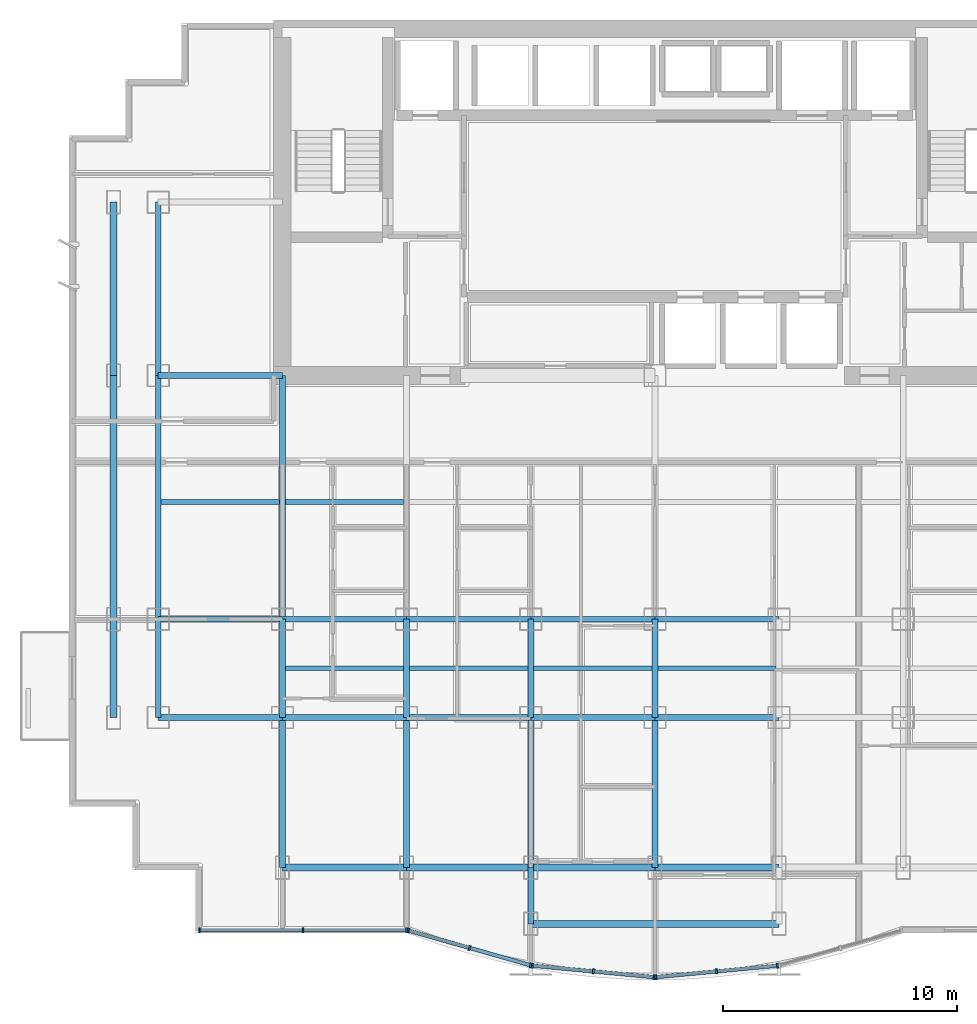
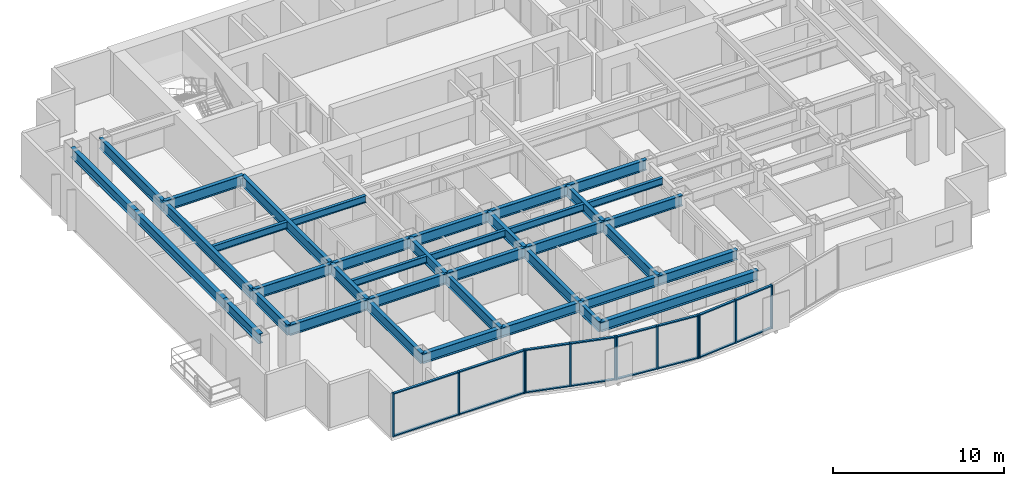
# One storey, part 2 of 10: 38 beams, 28 members, 4 elements without a shape of their own.
"""IFC4 building model written with IfcOpenShell, lengths in metres."""

from ifc_helpers import new_model, si_unit, direction, frame, origin, origin_2d, place, context, subcontext, project, spatial, rectangle, i_section, extrude, source, transform, mapped, material, layer, layer_set, material_profile, profile_set, type_object, element, aggregate, save


model = new_model("IFC4")

# Units and contexts
model_context = context("Model", 3, precision=1e-05, world=origin(), true_north=direction((0.0, 1.0)))
body_context = subcontext(model_context, "Body", "Model", "MODEL_VIEW")
ifc_project = project(units=[si_unit("LENGTHUNIT", "METRE"), si_unit("AREAUNIT", "SQUARE_METRE"), si_unit("VOLUMEUNIT", "CUBIC_METRE"), si_unit("PLANEANGLEUNIT", "RADIAN"), si_unit("MASSUNIT", "GRAM", prefix="KILO")], contexts=[model_context])

# Site, building, storey
site_placement = place(None, origin())
site = spatial("IfcSite", under=ifc_project, at=site_placement, CompositionType="ELEMENT")
building_placement = place(site_placement, origin())
building = spatial("IfcBuilding", under=site, at=building_placement, Name="Qianlan Lanfeng Residences", CompositionType="ELEMENT")
storey_placement = place(building_placement, frame((0.0, 0.0, 114.699951171875)))
storey = spatial("IfcBuildingStorey", under=building, at=storey_placement, Name="L31", CompositionType="ELEMENT", Elevation=114.699951171875)

# Beams
ifc_material_1 = material(Name="Steel SN490B", Category="steel")
ifc_material_profile_1 = material_profile(ifc_material_1, i_section(OverallWidth=0.25, OverallDepth=0.75, WebThickness=0.013916015625, FlangeThickness=0.02490234375, at=origin_2d()), Name="H 750x250x14x25")
ifc_profile_set_1 = profile_set([ifc_material_profile_1], Name="Steel SN490B")
beam_type_1 = type_object("IfcBeamType", Name="G-850", PredefinedType="BEAM", material=ifc_profile_set_1)
beam_1_placement = place(storey_placement, frame((5.300048828125, 10.60009765625, 2.715087890625), z_axis=(1.0, 0.0, 0.0), x_axis=(0.0, 1.0, 0.0)))
element("IfcBeam", 1, at=beam_1_placement, inside=storey, type_object=beam_type_1, Name="Structural beam G-850", PredefinedType="BEAM", context=body_context, shape_type="SweptSolid", body=[
    extrude(i_section(OverallWidth=0.25, OverallDepth=0.75, WebThickness=0.013916015625, FlangeThickness=0.02490234375, at=origin_2d()), origin(), (0.0, 0.0, 1.0), 5.300048828125),
])
beam_2_placement = place(storey_placement, frame((10.60009765625, 10.60009765625, 2.715087890625), z_axis=(1.0, 0.0, 0.0), x_axis=(0.0, 1.0, 0.0)))
element("IfcBeam", 2, at=beam_2_placement, inside=storey, type_object=beam_type_1, Name="Structural beam G-850", PredefinedType="BEAM", context=body_context, shape_type="SweptSolid", body=[
    extrude(i_section(OverallWidth=0.25, OverallDepth=0.75, WebThickness=0.013916015625, FlangeThickness=0.02490234375, at=origin_2d()), origin(), (0.0, 0.0, 1.0), 5.2998046875),
])
for number, where, z_axis, x_axis, name in (
    (3, (15.89990234375, 10.60009765625, 2.715087890625), (1.0, 0.0, 0.0), (0.0, 1.0, 0.0), "Structural beam G-850"),
    (4, (21.199951171875, 10.60009765625, 2.715087890625), (1.0, 0.0, 0.0), (0.0, 1.0, 0.0), "Structural beam G-850"),
    (5, (26.5, 10.60009765625, 2.715087890625), (1.0, 0.0, 0.0), (0.0, 1.0, 0.0), "Structural beam G-850"),
    (6, (5.300048828125, 14.800048828125, 2.715087890625), (1.0, 0.0, 0.0), (0.0, 1.0, 0.0), "Structural beam G-850"),
):
    element("IfcBeam", number, at=place(storey_placement, frame(where, z_axis=z_axis, x_axis=x_axis)), inside=storey, type_object=beam_type_1, Name=name, PredefinedType="BEAM", context=body_context, shape_type="SweptSolid", body=[
        extrude(i_section(OverallWidth=0.25, OverallDepth=0.75, WebThickness=0.013916015625, FlangeThickness=0.02490234375, at=origin_2d()), origin(), (0.0, 0.0, 1.0), 5.300048828125),
    ])
beam_3_placement = place(storey_placement, frame((10.60009765625, 14.800048828125, 2.715087890625), z_axis=(1.0, 0.0, 0.0), x_axis=(0.0, 1.0, 0.0)))
element("IfcBeam", 7, at=beam_3_placement, inside=storey, type_object=beam_type_1, Name="Structural beam G-850", PredefinedType="BEAM", context=body_context, shape_type="SweptSolid", body=[
    extrude(i_section(OverallWidth=0.25, OverallDepth=0.75, WebThickness=0.013916015625, FlangeThickness=0.02490234375, at=origin_2d()), origin(), (0.0, 0.0, 1.0), 5.2998046875),
])
for number, where, z_axis, x_axis, name in (
    (8, (15.89990234375, 14.800048828125, 2.715087890625), (1.0, 0.0, 0.0), (0.0, 1.0, 0.0), "Structural beam G-850"),
    (9, (21.199951171875, 14.800048828125, 2.715087890625), (1.0, 0.0, 0.0), (0.0, 1.0, 0.0), "Structural beam G-850"),
    (10, (26.5, 14.800048828125, 2.715087890625), (1.0, 0.0, 0.0), (0.0, 1.0, 0.0), "Structural beam G-850"),
    (11, (5.300048828125, 25.199951171875, 2.715087890625), (1.0, 0.0, 0.0), (0.0, 1.0, 0.0), "Structural beam G-850"),
):
    element("IfcBeam", number, at=place(storey_placement, frame(where, z_axis=z_axis, x_axis=x_axis)), inside=storey, type_object=beam_type_1, Name=name, PredefinedType="BEAM", context=body_context, shape_type="SweptSolid", body=[
        extrude(i_section(OverallWidth=0.25, OverallDepth=0.75, WebThickness=0.013916015625, FlangeThickness=0.02490234375, at=origin_2d()), origin(), (0.0, 0.0, 1.0), 5.300048828125),
    ])
beam_4_placement = place(storey_placement, frame((5.300048828125, 10.60009765625, 2.715087890625), z_axis=(0.0, 1.0, 0.0), x_axis=(-1.0, 0.0, 0.0)))
element("IfcBeam", 12, at=beam_4_placement, inside=storey, type_object=beam_type_1, Name="Structural beam G-850", PredefinedType="BEAM", context=body_context, shape_type="SweptSolid", body=[
    extrude(i_section(OverallWidth=0.25, OverallDepth=0.75, WebThickness=0.013916015625, FlangeThickness=0.02490234375, at=origin_2d()), origin(), (0.0, 0.0, 1.0), 4.199951171875),
])
beam_5_placement = place(storey_placement, frame((5.300048828125, 14.800048828125, 2.715087890625), z_axis=(0.0, 1.0, 0.0), x_axis=(-1.0, 0.0, 0.0)))
element("IfcBeam", 13, at=beam_5_placement, inside=storey, type_object=beam_type_1, Name="Structural beam G-850", PredefinedType="BEAM", context=body_context, shape_type="SweptSolid", body=[
    extrude(i_section(OverallWidth=0.25, OverallDepth=0.75, WebThickness=0.013916015625, FlangeThickness=0.02490234375, at=origin_2d()), origin(), (0.0, 0.0, 1.0), 10.39990234375),
])
beam_6_placement = place(storey_placement, frame((5.300048828125, 25.199951171875, 2.715087890625), z_axis=(0.0, 1.0, 0.0), x_axis=(-1.0, 0.0, 0.0)))
element("IfcBeam", 14, at=beam_6_placement, inside=storey, type_object=beam_type_1, Name="Structural beam G-850", PredefinedType="BEAM", context=body_context, shape_type="SweptSolid", body=[
    extrude(i_section(OverallWidth=0.25, OverallDepth=0.75, WebThickness=0.013916015625, FlangeThickness=0.02490234375, at=origin_2d()), origin(), (0.0, 0.0, 1.0), 7.400146484375),
])
beam_7_placement = place(storey_placement, frame((10.60009765625, 4.199951171875, 2.715087890625), z_axis=(0.0, 1.0, 0.0), x_axis=(-1.0, 0.0, 0.0)))
element("IfcBeam", 15, at=beam_7_placement, inside=storey, type_object=beam_type_1, Name="Structural beam G-850", PredefinedType="BEAM", context=body_context, shape_type="SweptSolid", body=[
    extrude(i_section(OverallWidth=0.25, OverallDepth=0.75, WebThickness=0.013916015625, FlangeThickness=0.02490234375, at=origin_2d()), origin(), (0.0, 0.0, 1.0), 6.400146484375),
])
beam_8_placement = place(storey_placement, frame((10.60009765625, 10.60009765625, 2.715087890625), z_axis=(0.0, 1.0, 0.0), x_axis=(-1.0, 0.0, 0.0)))
element("IfcBeam", 16, at=beam_8_placement, inside=storey, type_object=beam_type_1, Name="Structural beam G-850", PredefinedType="BEAM", context=body_context, shape_type="SweptSolid", body=[
    extrude(i_section(OverallWidth=0.25, OverallDepth=0.75, WebThickness=0.013916015625, FlangeThickness=0.02490234375, at=origin_2d()), origin(), (0.0, 0.0, 1.0), 4.199951171875),
])
beam_9_placement = place(storey_placement, frame((10.60009765625, 14.800048828125, 2.715087890625), z_axis=(0.0, 1.0, 0.0), x_axis=(-1.0, 0.0, 0.0)))
element("IfcBeam", 17, at=beam_9_placement, inside=storey, type_object=beam_type_1, Name="Structural beam G-850", PredefinedType="BEAM", context=body_context, shape_type="SweptSolid", body=[
    extrude(i_section(OverallWidth=0.25, OverallDepth=0.75, WebThickness=0.013916015625, FlangeThickness=0.02490234375, at=origin_2d()), origin(), (0.0, 0.0, 1.0), 10.39990234375),
])
beam_10_placement = place(storey_placement, frame((15.89990234375, 4.199951171875, 2.715087890625), z_axis=(0.0, 1.0, 0.0), x_axis=(-1.0, 0.0, 0.0)))
element("IfcBeam", 18, at=beam_10_placement, inside=storey, type_object=beam_type_1, Name="Structural beam G-850", PredefinedType="BEAM", context=body_context, shape_type="SweptSolid", body=[
    extrude(i_section(OverallWidth=0.25, OverallDepth=0.75, WebThickness=0.013916015625, FlangeThickness=0.02490234375, at=origin_2d()), origin(), (0.0, 0.0, 1.0), 6.400146484375),
])
beam_11_placement = place(storey_placement, frame((15.89990234375, 10.60009765625, 2.715087890625), z_axis=(0.0, 1.0, 0.0), x_axis=(-1.0, 0.0, 0.0)))
element("IfcBeam", 19, at=beam_11_placement, inside=storey, type_object=beam_type_1, Name="Structural beam G-850", PredefinedType="BEAM", context=body_context, shape_type="SweptSolid", body=[
    extrude(i_section(OverallWidth=0.25, OverallDepth=0.75, WebThickness=0.013916015625, FlangeThickness=0.02490234375, at=origin_2d()), origin(), (0.0, 0.0, 1.0), 4.199951171875),
])
beam_12_placement = place(storey_placement, frame((21.199951171875, 1.800048828125, 2.715087890625), z_axis=(0.0, 1.0, 0.0), x_axis=(-1.0, 0.0, 0.0)))
element("IfcBeam", 20, at=beam_12_placement, inside=storey, type_object=beam_type_1, Name="Structural beam G-850", PredefinedType="BEAM", context=body_context, shape_type="SweptSolid", body=[
    extrude(i_section(OverallWidth=0.25, OverallDepth=0.75, WebThickness=0.013916015625, FlangeThickness=0.02490234375, at=origin_2d()), origin(), (0.0, 0.0, 1.0), 2.39990234375),
])
beam_13_placement = place(storey_placement, frame((21.199951171875, 4.199951171875, 2.715087890625), z_axis=(0.0, 1.0, 0.0), x_axis=(-1.0, 0.0, 0.0)))
element("IfcBeam", 21, at=beam_13_placement, inside=storey, type_object=beam_type_1, Name="Structural beam G-850", PredefinedType="BEAM", context=body_context, shape_type="SweptSolid", body=[
    extrude(i_section(OverallWidth=0.25, OverallDepth=0.75, WebThickness=0.013916015625, FlangeThickness=0.02490234375, at=origin_2d()), origin(), (0.0, 0.0, 1.0), 6.400146484375),
])
beam_14_placement = place(storey_placement, frame((21.199951171875, 10.60009765625, 2.715087890625), z_axis=(0.0, 1.0, 0.0), x_axis=(-1.0, 0.0, 0.0)))
element("IfcBeam", 22, at=beam_14_placement, inside=storey, type_object=beam_type_1, Name="Structural beam G-850", PredefinedType="BEAM", context=body_context, shape_type="SweptSolid", body=[
    extrude(i_section(OverallWidth=0.25, OverallDepth=0.75, WebThickness=0.013916015625, FlangeThickness=0.02490234375, at=origin_2d()), origin(), (0.0, 0.0, 1.0), 4.199951171875),
])
beam_15_placement = place(storey_placement, frame((26.5, 4.199951171875, 2.715087890625), z_axis=(0.0, 1.0, 0.0), x_axis=(-1.0, 0.0, 0.0)))
element("IfcBeam", 23, at=beam_15_placement, inside=storey, type_object=beam_type_1, Name="Structural beam G-850", PredefinedType="BEAM", context=body_context, shape_type="SweptSolid", body=[
    extrude(i_section(OverallWidth=0.25, OverallDepth=0.75, WebThickness=0.013916015625, FlangeThickness=0.02490234375, at=origin_2d()), origin(), (0.0, 0.0, 1.0), 6.400146484375),
])
beam_16_placement = place(storey_placement, frame((26.5, 10.60009765625, 2.715087890625), z_axis=(0.0, 1.0, 0.0), x_axis=(-1.0, 0.0, 0.0)))
element("IfcBeam", 24, at=beam_16_placement, inside=storey, type_object=beam_type_1, Name="Structural beam G-850", PredefinedType="BEAM", context=body_context, shape_type="SweptSolid", body=[
    extrude(i_section(OverallWidth=0.25, OverallDepth=0.75, WebThickness=0.013916015625, FlangeThickness=0.02490234375, at=origin_2d()), origin(), (0.0, 0.0, 1.0), 4.199951171875),
])
ifc_material_profile_2 = material_profile(ifc_material_1, i_section(OverallWidth=0.199951171875, OverallDepth=0.5, WebThickness=0.010009765625, FlangeThickness=0.01611328125, at=origin_2d()), Name="H 500x200x10x16")
ifc_profile_set_2 = profile_set([ifc_material_profile_2], Name="Steel SN490B")
beam_type_2 = type_object("IfcBeamType", Name="J-500", PredefinedType="JOIST", material=ifc_profile_set_2)
beam_17_placement = place(storey_placement, frame((10.72509765625, 12.699951171875, 2.840087890625), z_axis=(1.0, 0.0, 0.0), x_axis=(0.0, 1.0, 0.0)))
element("IfcBeam", 25, at=beam_17_placement, inside=storey, type_object=beam_type_2, Name="Structural beam J-500", PredefinedType="JOIST", context=body_context, shape_type="SweptSolid", body=[
    extrude(i_section(OverallWidth=0.199951171875, OverallDepth=0.5, WebThickness=0.010009765625, FlangeThickness=0.01611328125, at=origin_2d()), origin(), (0.0, 0.0, 1.0), 5.0498046875),
])
for number, where, z_axis, x_axis, name in (
    (26, (16.02490234375, 12.699951171875, 2.840087890625), (1.0, 0.0, 0.0), (0.0, 1.0, 0.0), "Structural beam J-500"),
    (27, (21.324951171875, 12.699951171875, 2.840087890625), (1.0, 0.0, 0.0), (0.0, 1.0, 0.0), "Structural beam J-500"),
    (28, (26.625, 12.699951171875, 2.840087890625), (1.0, 0.0, 0.0), (0.0, 1.0, 0.0), "Structural beam J-500"),
    (29, (5.425048828125, 19.800048828125, 2.840087890625), (1.0, 0.0, 0.0), (0.0, 1.0, 0.0), "Structural beam J-500"),
):
    element("IfcBeam", number, at=place(storey_placement, frame(where, z_axis=z_axis, x_axis=x_axis)), inside=storey, type_object=beam_type_2, Name=name, PredefinedType="JOIST", context=body_context, shape_type="SweptSolid", body=[
        extrude(i_section(OverallWidth=0.199951171875, OverallDepth=0.5, WebThickness=0.010009765625, FlangeThickness=0.01611328125, at=origin_2d()), origin(), (0.0, 0.0, 1.0), 5.050048828125),
    ])
beam_18_placement = place(storey_placement, frame((10.72509765625, 19.800048828125, 2.840087890625), z_axis=(1.0, 0.0, 0.0), x_axis=(0.0, 1.0, 0.0)))
element("IfcBeam", 30, at=beam_18_placement, inside=storey, type_object=beam_type_2, Name="Structural beam J-500", PredefinedType="JOIST", context=body_context, shape_type="SweptSolid", body=[
    extrude(i_section(OverallWidth=0.199951171875, OverallDepth=0.5, WebThickness=0.010009765625, FlangeThickness=0.01611328125, at=origin_2d()), origin(), (0.0, 0.0, 1.0), 5.0498046875),
])
ifc_material_profile_3 = material_profile(ifc_material_1, i_section(OverallWidth=0.300048828125, OverallDepth=0.699951171875, WebThickness=0.012939453125, FlangeThickness=0.02392578125, at=origin_2d()), Name="H 700x300x13x24")
ifc_profile_set_3 = profile_set([ifc_material_profile_3], Name="Steel SN490B")
beam_type_3 = type_object("IfcBeamType", Name="SG-750", PredefinedType="SPANDREL", material=ifc_profile_set_3)
beam_19_placement = place(storey_placement, frame((21.199951171875, 1.800048828125, 2.739990234375), z_axis=(1.0, 0.0, 0.0), x_axis=(0.0, 1.0, 0.0)))
element("IfcBeam", 31, at=beam_19_placement, inside=storey, type_object=beam_type_3, Name="Structural beam SG-750", PredefinedType="SPANDREL", context=body_context, shape_type="SweptSolid", body=[
    extrude(i_section(OverallWidth=0.300048828125, OverallDepth=0.699951171875, WebThickness=0.012939453125, FlangeThickness=0.02392578125, at=origin_2d()), origin(), (0.0, 0.0, 1.0), 10.60009765625),
])
beam_20_placement = place(storey_placement, frame((10.60009765625, 4.199951171875, 2.739990234375), z_axis=(1.0, 0.0, 0.0), x_axis=(0.0, 1.0, 0.0)))
element("IfcBeam", 32, at=beam_20_placement, inside=storey, type_object=beam_type_3, Name="Structural beam SG-750", PredefinedType="SPANDREL", context=body_context, shape_type="SweptSolid", body=[
    extrude(i_section(OverallWidth=0.300048828125, OverallDepth=0.699951171875, WebThickness=0.012939453125, FlangeThickness=0.02392578125, at=origin_2d()), origin(), (0.0, 0.0, 1.0), 5.2998046875),
])
for number, where, z_axis, x_axis, name in (
    (33, (15.89990234375, 4.199951171875, 2.739990234375), (1.0, 0.0, 0.0), (0.0, 1.0, 0.0), "Structural beam SG-750"),
    (34, (21.199951171875, 4.199951171875, 2.739990234375), (1.0, 0.0, 0.0), (0.0, 1.0, 0.0), "Structural beam SG-750"),
    (35, (26.5, 4.199951171875, 2.739990234375), (1.0, 0.0, 0.0), (0.0, 1.0, 0.0), "Structural beam SG-750"),
):
    element("IfcBeam", number, at=place(storey_placement, frame(where, z_axis=z_axis, x_axis=x_axis)), inside=storey, type_object=beam_type_3, Name=name, PredefinedType="SPANDREL", context=body_context, shape_type="SweptSolid", body=[
        extrude(i_section(OverallWidth=0.300048828125, OverallDepth=0.699951171875, WebThickness=0.012939453125, FlangeThickness=0.02392578125, at=origin_2d()), origin(), (0.0, 0.0, 1.0), 5.300048828125),
    ])
beam_21_placement = place(storey_placement, frame((3.39990234375, 10.60009765625, 2.739990234375), z_axis=(0.0, 1.0, 0.0), x_axis=(-1.0, 0.0, 0.0)))
element("IfcBeam", 36, at=beam_21_placement, inside=storey, type_object=beam_type_3, Name="Structural beam SG-750", PredefinedType="SPANDREL", context=body_context, shape_type="SweptSolid", body=[
    extrude(i_section(OverallWidth=0.300048828125, OverallDepth=0.699951171875, WebThickness=0.012939453125, FlangeThickness=0.02392578125, at=origin_2d()), origin(), (0.0, 0.0, 1.0), 4.199951171875),
])
beam_22_placement = place(storey_placement, frame((3.39990234375, 14.800048828125, 2.739990234375), z_axis=(0.0, 1.0, 0.0), x_axis=(-1.0, 0.0, 0.0)))
element("IfcBeam", 37, at=beam_22_placement, inside=storey, type_object=beam_type_3, Name="Structural beam SG-750", PredefinedType="SPANDREL", context=body_context, shape_type="SweptSolid", body=[
    extrude(i_section(OverallWidth=0.300048828125, OverallDepth=0.699951171875, WebThickness=0.012939453125, FlangeThickness=0.02392578125, at=origin_2d()), origin(), (0.0, 0.0, 1.0), 10.39990234375),
])
beam_23_placement = place(storey_placement, frame((3.39990234375, 25.199951171875, 2.739990234375), z_axis=(0.0, 1.0, 0.0), x_axis=(-1.0, 0.0, 0.0)))
element("IfcBeam", 38, at=beam_23_placement, inside=storey, type_object=beam_type_3, Name="Structural beam SG-750", PredefinedType="SPANDREL", context=body_context, shape_type="SweptSolid", body=[
    extrude(i_section(OverallWidth=0.300048828125, OverallDepth=0.699951171875, WebThickness=0.012939453125, FlangeThickness=0.02392578125, at=origin_2d()), origin(), (0.0, 0.0, 1.0), 7.400146484375),
])

# Curtain wall, members
ifc_material_2 = material(Name="Anodised Bronze Aluminium 6063-T6", Category="aluminium")
ifc_layer = layer(ifc_material_2, 0.219970703125)
ifc_layer_set = layer_set([ifc_layer], Name="Anodised Bronze Aluminium 6063-T6")
curtain_wall_type = type_object("IfcCurtainWallType", Name="CW-03", PredefinedType="NOTDEFINED", material=ifc_layer_set)
curtain_wall_1_placement = place(storey_placement, origin())
curtain_wall_1 = element("IfcCurtainWall", 39, at=curtain_wall_1_placement, inside=storey, type_object=curtain_wall_type, Name="L31 Unitised Curtain Wall CWR-L31-01 (CW-03)", PredefinedType="NOTDEFINED")
ifc_material_profile_4 = material_profile(ifc_material_2, rectangle(XDim=0.080078125, YDim=0.159912109375, at=origin_2d()), Name="ALU TRANSOM 80x160")
ifc_profile_set_4 = profile_set([ifc_material_profile_4], Name="Anodised Bronze Aluminium 6063-T6")
member_type_1 = type_object("IfcMemberType", Name="CWT-180", PredefinedType="USERDEFINED", material=ifc_profile_set_4)
shared_shape_1 = source(origin(), body_context, "Body", "SweptSolid", [
    extrude(rectangle(XDim=0.080078125, YDim=0.159912109375, at=origin_2d()), origin(), (0.0, 0.0, 1.0), 4.34033203125),
])
member_1_placement = place(storey_placement, frame((7.10009765625, 1.52001953125, 0.0400390625), z_axis=(1.0, 0.0, 0.0), x_axis=(0.0, 0.0, 1.0)))
member_1 = element("IfcMember", 40, at=member_1_placement, type_object=member_type_1, Name="CWR-L31-01 Transom 1-BOT", ObjectType="TRANSOM", PredefinedType="USERDEFINED", context=body_context, shape_type="MappedRepresentation", body=[
    mapped(shared_shape_1, transform((0.0, 0.0, 0.0), scale=1.0)),
])
member_2_placement = place(storey_placement, frame((7.10009765625, 1.52001953125, 3.050048828125), z_axis=(1.0, 0.0, 0.0), x_axis=(0.0, 0.0, 1.0)))
member_2 = element("IfcMember", 41, at=member_2_placement, type_object=member_type_1, Name="CWR-L31-01 Transom 1-TOP", ObjectType="TRANSOM", PredefinedType="USERDEFINED", context=body_context, shape_type="MappedRepresentation", body=[
    mapped(shared_shape_1, transform((0.0, 0.0, 0.0), scale=1.0)),
])
shared_shape_2 = source(origin(), body_context, "Body", "SweptSolid", [
    extrude(rectangle(XDim=0.080078125, YDim=0.159912109375, at=origin_2d()), origin(), (0.0, 0.0, 1.0), 4.340576171875),
])
member_3_placement = place(storey_placement, frame((11.5205078125, 1.52001953125, 0.0400390625), z_axis=(1.0, 0.0, 0.0), x_axis=(0.0, 0.0, 1.0)))
member_3 = element("IfcMember", 42, at=member_3_placement, type_object=member_type_1, Name="CWR-L31-01 Transom 2-BOT", ObjectType="TRANSOM", PredefinedType="USERDEFINED", context=body_context, shape_type="MappedRepresentation", body=[
    mapped(shared_shape_2, transform((0.0, 0.0, 0.0), scale=1.0)),
])
member_4_placement = place(storey_placement, frame((11.5205078125, 1.52001953125, 3.050048828125), z_axis=(1.0, 0.0, 0.0), x_axis=(0.0, 0.0, 1.0)))
member_4 = element("IfcMember", 43, at=member_4_placement, type_object=member_type_1, Name="CWR-L31-01 Transom 2-TOP", ObjectType="TRANSOM", PredefinedType="USERDEFINED", context=body_context, shape_type="MappedRepresentation", body=[
    mapped(shared_shape_2, transform((0.0, 0.0, 0.0), scale=1.0)),
])

curtain_wall_2_placement = place(storey_placement, origin())
curtain_wall_2 = element("IfcCurtainWall", 44, at=curtain_wall_2_placement, inside=storey, type_object=curtain_wall_type, Name="L31 Unitised Curtain Wall CWR-L31-02 (CW-03)", PredefinedType="NOTDEFINED")
shared_shape_3 = source(origin(), body_context, "Body", "SweptSolid", [
    extrude(rectangle(XDim=0.080078125, YDim=0.159912109375, at=origin_2d()), origin(), (0.0, 0.0, 1.0), 2.630126953125),
])
member_5_placement = place(storey_placement, frame((16.01806640625, 1.498291015625, 0.0400390625), z_axis=(0.961960587005, -0.273188266675, 0.0), x_axis=(0.0, 0.0, 1.0)))
member_5 = element("IfcMember", 45, at=member_5_placement, type_object=member_type_1, Name="CWR-L31-02 Transom 1-BOT", ObjectType="TRANSOM", PredefinedType="USERDEFINED", context=body_context, shape_type="MappedRepresentation", body=[
    mapped(shared_shape_3, transform((0.0, 0.0, 0.0), scale=1.0)),
])
member_6_placement = place(storey_placement, frame((16.01806640625, 1.498291015625, 3.050048828125), z_axis=(0.961960587005, -0.273188266675, 0.0), x_axis=(0.0, 0.0, 1.0)))
member_6 = element("IfcMember", 46, at=member_6_placement, type_object=member_type_1, Name="CWR-L31-02 Transom 1-TOP", ObjectType="TRANSOM", PredefinedType="USERDEFINED", context=body_context, shape_type="MappedRepresentation", body=[
    mapped(shared_shape_3, transform((0.0, 0.0, 0.0), scale=1.0)),
])
member_7_placement = place(storey_placement, frame((18.625, 0.758056640625, 0.0400390625), z_axis=(0.961984978242, -0.273102364758, 0.0), x_axis=(0.0, 0.0, 1.0)))
member_7 = element("IfcMember", 47, at=member_7_placement, type_object=member_type_1, Name="CWR-L31-02 Transom 2-BOT", ObjectType="TRANSOM", PredefinedType="USERDEFINED", context=body_context, shape_type="MappedRepresentation", body=[
    mapped(shared_shape_3, transform((0.0, 0.0, 0.0), scale=1.0)),
])
member_8_placement = place(storey_placement, frame((18.625, 0.758056640625, 3.050048828125), z_axis=(0.961984978242, -0.273102364758, 0.0), x_axis=(0.0, 0.0, 1.0)))
member_8 = element("IfcMember", 48, at=member_8_placement, type_object=member_type_1, Name="CWR-L31-02 Transom 2-TOP", ObjectType="TRANSOM", PredefinedType="USERDEFINED", context=body_context, shape_type="MappedRepresentation", body=[
    mapped(shared_shape_3, transform((0.0, 0.0, 0.0), scale=1.0)),
])

curtain_wall_3_placement = place(storey_placement, origin())
curtain_wall_3 = element("IfcCurtainWall", 49, at=curtain_wall_3_placement, inside=storey, type_object=curtain_wall_type, Name="L31 Unitised Curtain Wall CWR-L31-03 (CW-03)", PredefinedType="NOTDEFINED")
shared_shape_4 = source(origin(), body_context, "Body", "SweptSolid", [
    extrude(rectangle(XDim=0.080078125, YDim=0.159912109375, at=origin_2d()), origin(), (0.0, 0.0, 1.0), 2.52587890625),
])
member_9_placement = place(storey_placement, frame((21.3115234375, 0.010498046875, 0.0400390625), z_axis=(0.995558673677, -0.094143121181, 0.0), x_axis=(0.0, 0.0, 1.0)))
member_9 = element("IfcMember", 50, at=member_9_placement, type_object=member_type_1, Name="CWR-L31-03 Transom 1-BOT", ObjectType="TRANSOM", PredefinedType="USERDEFINED", context=body_context, shape_type="MappedRepresentation", body=[
    mapped(shared_shape_4, transform((0.0, 0.0, 0.0), scale=1.0)),
])
member_10_placement = place(storey_placement, frame((21.3115234375, 0.010498046875, 3.050048828125), z_axis=(0.995558673677, -0.094143121181, 0.0), x_axis=(0.0, 0.0, 1.0)))
member_10 = element("IfcMember", 51, at=member_10_placement, type_object=member_type_1, Name="CWR-L31-03 Transom 1-TOP", ObjectType="TRANSOM", PredefinedType="USERDEFINED", context=body_context, shape_type="MappedRepresentation", body=[
    mapped(shared_shape_4, transform((0.0, 0.0, 0.0), scale=1.0)),
])
member_11_placement = place(storey_placement, frame((23.90576171875, -0.23486328125, 0.0400390625), z_axis=(0.995567728251, -0.094047320348, 0.0), x_axis=(0.0, 0.0, 1.0)))
member_11 = element("IfcMember", 52, at=member_11_placement, type_object=member_type_1, Name="CWR-L31-03 Transom 2-BOT", ObjectType="TRANSOM", PredefinedType="USERDEFINED", context=body_context, shape_type="MappedRepresentation", body=[
    mapped(shared_shape_4, transform((0.0, 0.0, 0.0), scale=1.0)),
])
member_12_placement = place(storey_placement, frame((23.90576171875, -0.23486328125, 3.050048828125), z_axis=(0.995567728251, -0.094047320348, 0.0), x_axis=(0.0, 0.0, 1.0)))
member_12 = element("IfcMember", 53, at=member_12_placement, type_object=member_type_1, Name="CWR-L31-03 Transom 2-TOP", ObjectType="TRANSOM", PredefinedType="USERDEFINED", context=body_context, shape_type="MappedRepresentation", body=[
    mapped(shared_shape_4, transform((0.0, 0.0, 0.0), scale=1.0)),
])

curtain_wall_4_placement = place(storey_placement, origin())
curtain_wall_4 = element("IfcCurtainWall", 54, at=curtain_wall_4_placement, inside=storey, type_object=curtain_wall_type, Name="L31 Unitised Curtain Wall CWR-L31-04 (CW-03)", PredefinedType="NOTDEFINED")
member_13_placement = place(storey_placement, frame((29.173828125, -0.227294921875, 0.0400390625), z_axis=(0.995558673677, 0.094143121181, 0.0), x_axis=(0.0, 0.0, 1.0)))
member_13 = element("IfcMember", 55, at=member_13_placement, type_object=member_type_1, Name="CWR-L31-04 Transom 2-BOT", ObjectType="TRANSOM", PredefinedType="USERDEFINED", context=body_context, shape_type="MappedRepresentation", body=[
    mapped(shared_shape_4, transform((0.0, 0.0, 0.0), scale=1.0)),
])
member_14_placement = place(storey_placement, frame((29.173828125, -0.227294921875, 3.050048828125), z_axis=(0.995558673677, 0.094143121181, 0.0), x_axis=(0.0, 0.0, 1.0)))
member_14 = element("IfcMember", 56, at=member_14_placement, type_object=member_type_1, Name="CWR-L31-04 Transom 2-TOP", ObjectType="TRANSOM", PredefinedType="USERDEFINED", context=body_context, shape_type="MappedRepresentation", body=[
    mapped(shared_shape_4, transform((0.0, 0.0, 0.0), scale=1.0)),
])
shared_shape_5 = source(origin(), body_context, "Body", "SweptSolid", [
    extrude(rectangle(XDim=0.080078125, YDim=0.159912109375, at=origin_2d()), origin(), (0.0, 0.0, 1.0), 2.525634765625),
])
member_15_placement = place(storey_placement, frame((26.57958984375, -0.472412109375, 0.0400390625), z_axis=(0.995566873206, 0.094056371262, 0.0), x_axis=(0.0, 0.0, 1.0)))
member_15 = element("IfcMember", 57, at=member_15_placement, type_object=member_type_1, Name="CWR-L31-04 Transom 1-BOT", ObjectType="TRANSOM", PredefinedType="USERDEFINED", context=body_context, shape_type="MappedRepresentation", body=[
    mapped(shared_shape_5, transform((0.0, 0.0, 0.0), scale=1.0)),
])
member_16_placement = place(storey_placement, frame((26.57958984375, -0.472412109375, 3.050048828125), z_axis=(0.995566873206, 0.094056371262, 0.0), x_axis=(0.0, 0.0, 1.0)))
member_16 = element("IfcMember", 58, at=member_16_placement, type_object=member_type_1, Name="CWR-L31-04 Transom 1-TOP", ObjectType="TRANSOM", PredefinedType="USERDEFINED", context=body_context, shape_type="MappedRepresentation", body=[
    mapped(shared_shape_5, transform((0.0, 0.0, 0.0), scale=1.0)),
])

# Member
ifc_material_profile_5 = material_profile(ifc_material_2, rectangle(XDim=0.080078125, YDim=0.2099609375, at=origin_2d()), Name="ALU MULLION 80x210")
ifc_profile_set_5 = profile_set([ifc_material_profile_5], Name="Anodised Bronze Aluminium 6063-T6")
member_type_2 = type_object("IfcMemberType", Name="CWM-220", PredefinedType="MULLION", material=ifc_profile_set_5)
shared_shape_6 = source(origin(), body_context, "Body", "SweptSolid", [
    extrude(rectangle(XDim=0.080078125, YDim=0.2099609375, at=origin_2d()), origin(), (0.0, 0.0, 1.0), 3.090087890625),
])
member_17_placement = place(storey_placement, frame((7.06005859375, 1.52001953125, 0.0), z_axis=(0.0, 0.0, 1.0), x_axis=(1.0, 0.0, 0.0)))
member_17 = element("IfcMember", 59, at=member_17_placement, type_object=member_type_2, Name="CWR-L31-01 Mullion 1", PredefinedType="MULLION", context=body_context, shape_type="MappedRepresentation", body=[
    mapped(shared_shape_6, transform((0.0, 0.0, 0.0), scale=1.0)),
])

member_18_placement = place(storey_placement, frame((11.48046875, 1.52001953125, 0.0), z_axis=(0.0, 0.0, 1.0), x_axis=(1.0, 0.0, 0.0)))
member_18 = element("IfcMember", 60, at=member_18_placement, type_object=member_type_2, Name="CWR-L31-01 Mullion 2", PredefinedType="MULLION", context=body_context, shape_type="MappedRepresentation", body=[
    mapped(shared_shape_6, transform((0.0, 0.0, 0.0), scale=1.0)),
])

member_19_placement = place(storey_placement, frame((15.90087890625, 1.52001953125, 0.0), z_axis=(0.0, 0.0, 1.0), x_axis=(1.0, 0.0, 0.0)))
member_19 = element("IfcMember", 61, at=member_19_placement, type_object=member_type_2, Name="CWR-L31-01 Mullion 3", PredefinedType="MULLION", context=body_context, shape_type="MappedRepresentation", body=[
    mapped(shared_shape_6, transform((0.0, 0.0, 0.0), scale=1.0)),
])

aggregate(curtain_wall_1, [member_17, member_18, member_19, member_1, member_2, member_3, member_4])

member_20_placement = place(storey_placement, frame((15.9794921875, 1.509033203125, 0.0), z_axis=(0.0, 0.0, 1.0), x_axis=(0.961989074302, -0.273087936247, 0.0)))
member_20 = element("IfcMember", 62, at=member_20_placement, type_object=member_type_2, Name="CWR-L31-02 Mullion 1", PredefinedType="MULLION", context=body_context, shape_type="MappedRepresentation", body=[
    mapped(shared_shape_6, transform((0.0, 0.0, 0.0), scale=1.0)),
])

member_21_placement = place(storey_placement, frame((18.58642578125, 0.76904296875, 0.0), z_axis=(0.0, 0.0, 1.0), x_axis=(0.961989074302, -0.273087936247, 0.0)))
member_21 = element("IfcMember", 63, at=member_21_placement, type_object=member_type_2, Name="CWR-L31-02 Mullion 2", PredefinedType="MULLION", context=body_context, shape_type="MappedRepresentation", body=[
    mapped(shared_shape_6, transform((0.0, 0.0, 0.0), scale=1.0)),
])

member_22_placement = place(storey_placement, frame((21.193603515625, 0.02880859375, 0.0), z_axis=(0.0, 0.0, 1.0), x_axis=(0.961989074302, -0.273087936247, 0.0)))
member_22 = element("IfcMember", 64, at=member_22_placement, type_object=member_type_2, Name="CWR-L31-02 Mullion 3", PredefinedType="MULLION", context=body_context, shape_type="MappedRepresentation", body=[
    mapped(shared_shape_6, transform((0.0, 0.0, 0.0), scale=1.0)),
])

aggregate(curtain_wall_2, [member_20, member_21, member_22, member_5, member_6, member_7, member_8])

member_23_placement = place(storey_placement, frame((21.271728515625, 0.01416015625, 0.0), z_axis=(0.0, 0.0, 1.0), x_axis=(0.995561471839, -0.094113526067, 0.0)))
member_23 = element("IfcMember", 65, at=member_23_placement, type_object=member_type_2, Name="CWR-L31-03 Mullion 1", PredefinedType="MULLION", context=body_context, shape_type="MappedRepresentation", body=[
    mapped(shared_shape_6, transform((0.0, 0.0, 0.0), scale=1.0)),
])

member_24_placement = place(storey_placement, frame((23.865966796875, -0.23095703125, 0.0), z_axis=(0.0, 0.0, 1.0), x_axis=(0.995561471839, -0.094113526067, 0.0)))
member_24 = element("IfcMember", 66, at=member_24_placement, type_object=member_type_2, Name="CWR-L31-03 Mullion 2", PredefinedType="MULLION", context=body_context, shape_type="MappedRepresentation", body=[
    mapped(shared_shape_6, transform((0.0, 0.0, 0.0), scale=1.0)),
])

member_25_placement = place(storey_placement, frame((26.460205078125, -0.476318359375, 0.0), z_axis=(0.0, 0.0, 1.0), x_axis=(0.995561471839, -0.094113526067, 0.0)))
member_25 = element("IfcMember", 67, at=member_25_placement, type_object=member_type_2, Name="CWR-L31-03 Mullion 3", PredefinedType="MULLION", context=body_context, shape_type="MappedRepresentation", body=[
    mapped(shared_shape_6, transform((0.0, 0.0, 0.0), scale=1.0)),
])

aggregate(curtain_wall_3, [member_23, member_24, member_25, member_9, member_10, member_11, member_12])

member_26_placement = place(storey_placement, frame((26.539794921875, -0.476318359375, 0.0), z_axis=(0.0, 0.0, 1.0), x_axis=(0.995561471839, 0.094113526067, 0.0)))
member_26 = element("IfcMember", 68, at=member_26_placement, type_object=member_type_2, Name="CWR-L31-04 Mullion 1", PredefinedType="MULLION", context=body_context, shape_type="MappedRepresentation", body=[
    mapped(shared_shape_6, transform((0.0, 0.0, 0.0), scale=1.0)),
])

member_27_placement = place(storey_placement, frame((29.134033203125, -0.23095703125, 0.0), z_axis=(0.0, 0.0, 1.0), x_axis=(0.995561471839, 0.094113526067, 0.0)))
member_27 = element("IfcMember", 69, at=member_27_placement, type_object=member_type_2, Name="CWR-L31-04 Mullion 2", PredefinedType="MULLION", context=body_context, shape_type="MappedRepresentation", body=[
    mapped(shared_shape_6, transform((0.0, 0.0, 0.0), scale=1.0)),
])

member_28_placement = place(storey_placement, frame((31.728271484375, 0.01416015625, 0.0), z_axis=(0.0, 0.0, 1.0), x_axis=(0.995561471839, 0.094113526067, 0.0)))
member_28 = element("IfcMember", 70, at=member_28_placement, type_object=member_type_2, Name="CWR-L31-04 Mullion 3", PredefinedType="MULLION", context=body_context, shape_type="MappedRepresentation", body=[
    mapped(shared_shape_6, transform((0.0, 0.0, 0.0), scale=1.0)),
])

aggregate(curtain_wall_4, [member_26, member_27, member_28, member_15, member_16, member_13, member_14])

save(model, "model.ifc")
